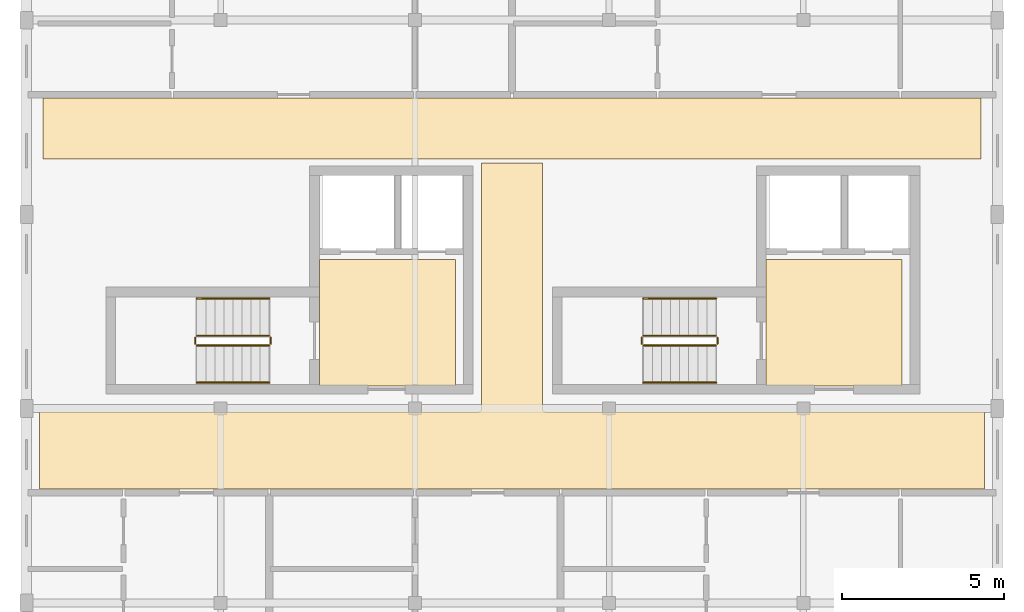
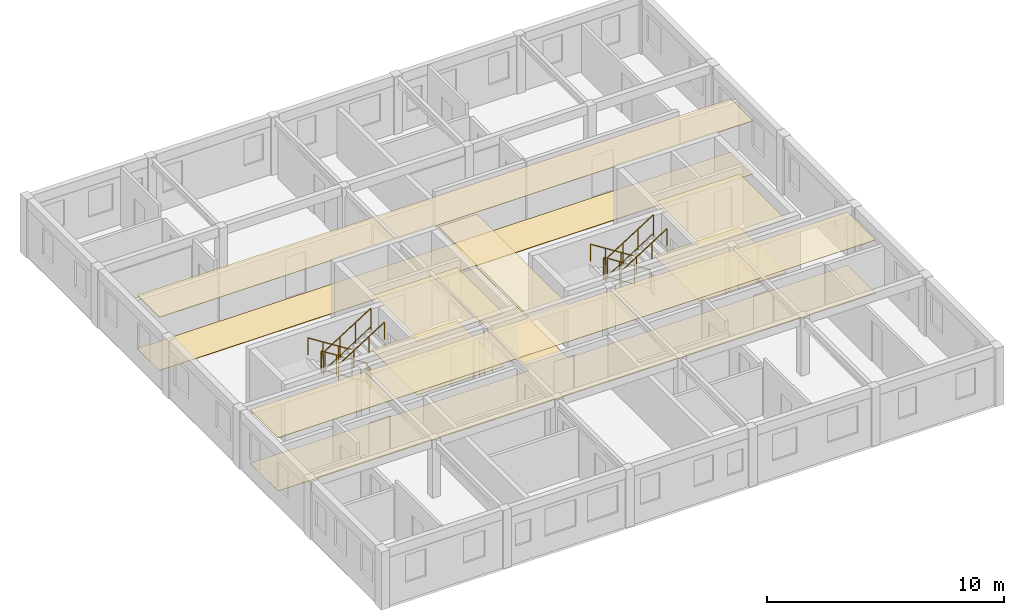
# One storey, part 7 of 7: 12 railings, 8 coverings.
"""IFC4 building model written with IfcOpenShell, lengths in metres."""

from ifc_helpers import new_model, si_unit, direction, frame, origin, origin_2d, place, context, subcontext, project, spatial, polyline, circle, outline, extrude, material, layer, layer_set, type_object, element, save


model = new_model("IFC4")

# Units and contexts
model_context = context("Model", 3, precision=1e-05, world=origin(), true_north=direction((0.0, 1.0)))
body_context = subcontext(model_context, "Body", "Model", "MODEL_VIEW")
ifc_project = project(units=[si_unit("LENGTHUNIT", "METRE"), si_unit("AREAUNIT", "SQUARE_METRE"), si_unit("VOLUMEUNIT", "CUBIC_METRE"), si_unit("PLANEANGLEUNIT", "RADIAN"), si_unit("MASSUNIT", "GRAM", prefix="KILO"), si_unit("POWERUNIT", "WATT"), si_unit("THERMODYNAMICTEMPERATUREUNIT", "KELVIN")], contexts=[model_context])

# Site, building, storey
site_placement = place(None, origin())
site = spatial("IfcSite", under=ifc_project, at=site_placement, CompositionType="ELEMENT")
building_placement = place(site_placement, origin())
building = spatial("IfcBuilding", under=site, at=building_placement, Name="Ruvembo Vaulted Housing Court", CompositionType="ELEMENT")
storey_placement = place(building_placement, frame((0.0, 0.0, 39.699951171875)))
storey = spatial("IfcBuildingStorey", under=building, at=storey_placement, Name="L12", CompositionType="ELEMENT", Elevation=39.699951171875)

# Coverings
ifc_material_1 = material(Name="Perforated Mineral-Fibre Acoustic Tile", Category="gypsum")
ifc_layer_1 = layer(ifc_material_1, 0.02001953125, Name="Perforated Mineral-Fibre Acoustic Tile")
ifc_layer_set_1 = layer_set([ifc_layer_1], Name="Perforated Mineral-Fibre Acoustic Tile")
covering_type_1 = type_object("IfcCoveringType", Name="COV-CEIL-ACOUST", PredefinedType="CEILING", material=ifc_layer_set_1)
covering_1_placement = place(storey_placement, frame((0.0, 0.0, 2.75)))
element("IfcCovering", 1, at=covering_1_placement, inside=storey, type_object=covering_type_1, Name="Firefighting Lift Lobby A1 Ceiling", PredefinedType="CEILING", context=body_context, shape_type="SweptSolid", body=[
    extrude(outline(polyline([(13.25, 22.60009765625), (9.050048828125, 22.60009765625), (9.050048828125, 18.699951171875), (13.25, 18.699951171875), (13.25, 22.60009765625)])), origin(), (0.0, 0.0, 1.0), 0.02001953125),
])
covering_2_placement = place(storey_placement, frame((0.0, 0.0, 2.75)))
element("IfcCovering", 2, at=covering_2_placement, inside=storey, type_object=covering_type_1, Name="Firefighting Lift Lobby A2 Ceiling", PredefinedType="CEILING", context=body_context, shape_type="SweptSolid", body=[
    extrude(outline(polyline([(27.050048828125, 22.60009765625), (22.85009765625, 22.60009765625), (22.85009765625, 18.699951171875), (27.050048828125, 18.699951171875), (27.050048828125, 22.60009765625)])), origin(), (0.0, 0.0, 1.0), 0.02001953125),
])
covering_3_placement = place(storey_placement, frame((0.0, 0.0, 2.75)))
element("IfcCovering", 3, at=covering_3_placement, inside=storey, type_object=covering_type_1, Name="Block A L12 Corridor Ceiling", PredefinedType="CEILING", context=body_context, shape_type="SweptSolid", body=[
    extrude(outline(polyline([(29.590087890625, 15.510009765625), (29.590087890625, 17.889892578125), (16.050048828125, 17.889892578125), (16.039306640625, 17.890380859375), (16.028564453125, 17.89208984375), (16.01806640625, 17.894775390625), (16.0078125, 17.8984375), (15.998046875, 17.903076171875), (15.989013671875, 17.908447265625), (15.980224609375, 17.9150390625), (15.97216796875, 17.922119140625), (15.965087890625, 17.93017578125), (15.95849609375, 17.93896484375), (15.952880859375, 17.947998046875), (15.948486328125, 17.9580078125), (15.944580078125, 17.968017578125), (15.942138671875, 17.978515625), (15.9404296875, 17.9892578125), (15.93994140625, 18.0), (15.93994140625, 25.590087890625), (14.06005859375, 25.590087890625), (14.06005859375, 18.0), (14.0595703125, 17.9892578125), (14.057861328125, 17.978515625), (14.055419921875, 17.968017578125), (14.051513671875, 17.9580078125), (14.047119140625, 17.947998046875), (14.04150390625, 17.93896484375), (14.034912109375, 17.93017578125), (14.02783203125, 17.922119140625), (14.019775390625, 17.9150390625), (14.010986328125, 17.908447265625), (14.001953125, 17.903076171875), (13.9921875, 17.8984375), (13.98193359375, 17.894775390625), (13.971435546875, 17.89208984375), (13.960693359375, 17.890380859375), (13.949951171875, 17.889892578125), (0.409912109375, 17.889892578125), (0.409912109375, 15.510009765625), (29.590087890625, 15.510009765625)])), origin(), (0.0, 0.0, 1.0), 0.02001953125),
])
covering_4_placement = place(storey_placement, frame((0.0, 0.0, 2.75)))
element("IfcCovering", 4, at=covering_4_placement, inside=storey, type_object=covering_type_1, Name="Block A L12 North Sub-Corridor Ceiling", PredefinedType="CEILING", context=body_context, shape_type="SweptSolid", body=[
    extrude(outline(polyline([(0.510009765625, 25.7099609375), (29.489990234375, 25.7099609375), (29.489990234375, 27.590087890625), (0.510009765625, 27.590087890625), (0.510009765625, 25.7099609375)])), origin(), (0.0, 0.0, 1.0), 0.02001953125),
])
ifc_material_2 = material(Name="Polished Cement-Aggregate Terrazzo", Category="stone")
ifc_layer_2 = layer(ifc_material_2, 0.02197265625, Name="Polished Cement-Aggregate Terrazzo")
ifc_layer_set_2 = layer_set([ifc_layer_2], Name="Polished Cement-Aggregate Terrazzo")
covering_type_2 = type_object("IfcCoveringType", Name="COV-FLR-CERAMIC", PredefinedType="FLOORING", material=ifc_layer_set_2)
covering_5_placement = place(storey_placement, origin())
element("IfcCovering", 5, at=covering_5_placement, inside=storey, type_object=covering_type_2, Name="Firefighting Lift Lobby A1 Flooring", PredefinedType="FLOORING", context=body_context, shape_type="SweptSolid", body=[
    extrude(outline(polyline([(13.25, 22.60009765625), (9.050048828125, 22.60009765625), (9.050048828125, 18.699951171875), (13.25, 18.699951171875), (13.25, 22.60009765625)])), origin(), (0.0, 0.0, 1.0), 0.02197265625),
])
covering_6_placement = place(storey_placement, origin())
element("IfcCovering", 6, at=covering_6_placement, inside=storey, type_object=covering_type_2, Name="Firefighting Lift Lobby A2 Flooring", PredefinedType="FLOORING", context=body_context, shape_type="SweptSolid", body=[
    extrude(outline(polyline([(27.050048828125, 22.60009765625), (22.85009765625, 22.60009765625), (22.85009765625, 18.699951171875), (27.050048828125, 18.699951171875), (27.050048828125, 22.60009765625)])), origin(), (0.0, 0.0, 1.0), 0.02197265625),
])
covering_7_placement = place(storey_placement, origin())
element("IfcCovering", 7, at=covering_7_placement, inside=storey, type_object=covering_type_2, Name="Block A L12 Corridor Flooring", PredefinedType="FLOORING", context=body_context, shape_type="SweptSolid", body=[
    extrude(outline(polyline([(29.590087890625, 15.510009765625), (29.590087890625, 17.889892578125), (16.050048828125, 17.889892578125), (16.039306640625, 17.890380859375), (16.028564453125, 17.89208984375), (16.01806640625, 17.894775390625), (16.0078125, 17.8984375), (15.998046875, 17.903076171875), (15.989013671875, 17.908447265625), (15.980224609375, 17.9150390625), (15.97216796875, 17.922119140625), (15.965087890625, 17.93017578125), (15.95849609375, 17.93896484375), (15.952880859375, 17.947998046875), (15.948486328125, 17.9580078125), (15.944580078125, 17.968017578125), (15.942138671875, 17.978515625), (15.9404296875, 17.9892578125), (15.93994140625, 18.0), (15.93994140625, 25.590087890625), (14.06005859375, 25.590087890625), (14.06005859375, 18.0), (14.0595703125, 17.9892578125), (14.057861328125, 17.978515625), (14.055419921875, 17.968017578125), (14.051513671875, 17.9580078125), (14.047119140625, 17.947998046875), (14.04150390625, 17.93896484375), (14.034912109375, 17.93017578125), (14.02783203125, 17.922119140625), (14.019775390625, 17.9150390625), (14.010986328125, 17.908447265625), (14.001953125, 17.903076171875), (13.9921875, 17.8984375), (13.98193359375, 17.894775390625), (13.971435546875, 17.89208984375), (13.960693359375, 17.890380859375), (13.949951171875, 17.889892578125), (0.409912109375, 17.889892578125), (0.409912109375, 15.510009765625), (29.590087890625, 15.510009765625)])), origin(), (0.0, 0.0, 1.0), 0.02197265625),
])
covering_8_placement = place(storey_placement, origin())
element("IfcCovering", 8, at=covering_8_placement, inside=storey, type_object=covering_type_2, Name="Block A L12 North Sub-Corridor Flooring", PredefinedType="FLOORING", context=body_context, shape_type="SweptSolid", body=[
    extrude(outline(polyline([(0.510009765625, 25.7099609375), (29.489990234375, 25.7099609375), (29.489990234375, 27.590087890625), (0.510009765625, 27.590087890625), (0.510009765625, 25.7099609375)])), origin(), (0.0, 0.0, 1.0), 0.02197265625),
])

# Railings
ifc_material_3 = material(Name="Painted Galvanised Steel S275", Category="steel")
ifc_layer_3 = layer(ifc_material_3, 0.06005859375, Name="Painted Galvanised Steel S275")
ifc_layer_set_3 = layer_set([ifc_layer_3], Name="Painted Galvanised Steel S275")
railing_type_1 = type_object("IfcRailingType", Name="RL-STAIR-GR1100", PredefinedType="GUARDRAIL", material=ifc_layer_set_3)
railing_1_placement = place(storey_placement, frame((7.5, 20.25, 0.177734375)))
element("IfcRailing", 9, at=railing_1_placement, inside=storey, type_object=railing_type_1, Name="L12 ST-A1 stair guard 1", PredefinedType="GUARDRAIL", context=body_context, shape_type="SweptSolid", body=[
    extrude(circle(Radius=0.02392578125, at=origin_2d()), frame((0.0, 0.0, 1.076171875), z_axis=(-0.84418770128, 0.0, 0.536047689118), x_axis=(0.0, -1.0, 0.0)), (0.0, 0.0, 1.0), 2.6533203125),
    extrude(circle(Radius=0.01806640625, at=origin_2d()), frame((0.0, 0.0, 0.1201171875), z_axis=(-0.84418770128, 0.0, 0.536047689118), x_axis=(0.0, -1.0, 0.0)), (0.0, 0.0, 1.0), 2.6533203125),
    extrude(circle(Radius=0.02099609375, at=origin_2d()), origin(), (0.0, 0.0, 1.0), 1.052001953125),
    extrude(circle(Radius=0.02099609375, at=origin_2d()), frame((-0.74658203125, 0.0, 0.47412109375)), (0.0, 0.0, 1.0), 1.052001953125),
    extrude(circle(Radius=0.02099609375, at=origin_2d()), frame((-1.493408203125, 0.0, 0.9482421875)), (0.0, 0.0, 1.0), 1.052001953125),
    extrude(circle(Radius=0.02099609375, at=origin_2d()), frame((-2.239990234375, 0.0, 1.42236328125)), (0.0, 0.0, 1.0), 1.052001953125),
])
railing_2_placement = place(storey_placement, frame((5.2099609375, 20.199951171875, 1.60009765625)))
element("IfcRailing", 10, at=railing_2_placement, inside=storey, type_object=railing_type_1, Name="L12 ST-A1 stair guard 2", PredefinedType="GUARDRAIL", context=body_context, shape_type="SweptSolid", body=[
    extrude(circle(Radius=0.02392578125, at=origin_2d()), frame((0.0, 0.0, 1.076171875), z_axis=(0.0, -1.0, 0.0), x_axis=(1.0, 0.0, 0.0)), (0.0, 0.0, 1.0), 0.199951171875),
    extrude(circle(Radius=0.01806640625, at=origin_2d()), frame((0.0, 0.0, 0.1201171875), z_axis=(0.0, -1.0, 0.0), x_axis=(1.0, 0.0, 0.0)), (0.0, 0.0, 1.0), 0.199951171875),
    extrude(circle(Radius=0.02099609375, at=origin_2d()), origin(), (0.0, 0.0, 1.0), 1.052001953125),
    extrude(circle(Radius=0.02099609375, at=origin_2d()), frame((0.0, -0.199951171875, 0.0)), (0.0, 0.0, 1.0), 1.052001953125),
])
railing_3_placement = place(storey_placement, frame((5.260009765625, 19.949951171875, 1.77783203125)))
element("IfcRailing", 11, at=railing_3_placement, inside=storey, type_object=railing_type_1, Name="L12 ST-A1 stair guard 3", PredefinedType="GUARDRAIL", context=body_context, shape_type="SweptSolid", body=[
    extrude(circle(Radius=0.02392578125, at=origin_2d()), frame((0.0, 0.0, 1.076171875), z_axis=(0.8442293374, 0.0, 0.53598211339), x_axis=(0.0, 1.0, 0.0)), (0.0, 0.0, 1.0), 2.6533203125),
    extrude(circle(Radius=0.01806640625, at=origin_2d()), frame((0.0, 0.0, 0.1201171875), z_axis=(0.8442293374, 0.0, 0.53598211339), x_axis=(0.0, 1.0, 0.0)), (0.0, 0.0, 1.0), 2.6533203125),
    extrude(circle(Radius=0.02099609375, at=origin_2d()), origin(), (0.0, 0.0, 1.0), 1.052001953125),
    extrude(circle(Radius=0.02099609375, at=origin_2d()), frame((0.74658203125, 0.0, 0.47412109375)), (0.0, 0.0, 1.0), 1.052001953125),
    extrude(circle(Radius=0.02099609375, at=origin_2d()), frame((1.493408203125, 0.0, 0.947998046875)), (0.0, 0.0, 1.0), 1.052001953125),
    extrude(circle(Radius=0.02099609375, at=origin_2d()), frame((2.239990234375, 0.0, 1.422119140625)), (0.0, 0.0, 1.0), 1.052001953125),
])
railing_4_placement = place(storey_placement, frame((7.550048828125, 20.199951171875, 0.0)))
element("IfcRailing", 12, at=railing_4_placement, inside=storey, type_object=railing_type_1, Name="L12 ST-A1 stair guard 4", PredefinedType="GUARDRAIL", context=body_context, shape_type="SweptSolid", body=[
    extrude(circle(Radius=0.02392578125, at=origin_2d()), frame((0.0, 0.0, 1.076171875), z_axis=(0.0, -1.0, 0.0), x_axis=(1.0, 0.0, 0.0)), (0.0, 0.0, 1.0), 0.199951171875),
    extrude(circle(Radius=0.01806640625, at=origin_2d()), frame((0.0, 0.0, 0.1201171875), z_axis=(0.0, -1.0, 0.0), x_axis=(1.0, 0.0, 0.0)), (0.0, 0.0, 1.0), 0.199951171875),
    extrude(circle(Radius=0.02099609375, at=origin_2d()), origin(), (0.0, 0.0, 1.0), 1.052001953125),
    extrude(circle(Radius=0.02099609375, at=origin_2d()), frame((0.0, -0.199951171875, 0.0)), (0.0, 0.0, 1.0), 1.052001953125),
])
railing_5_placement = place(storey_placement, frame((21.300048828125, 20.25, 0.177734375)))
element("IfcRailing", 13, at=railing_5_placement, inside=storey, type_object=railing_type_1, Name="L12 ST-A2 stair guard 1", PredefinedType="GUARDRAIL", context=body_context, shape_type="SweptSolid", body=[
    extrude(circle(Radius=0.02392578125, at=origin_2d()), frame((0.0, 0.0, 1.076171875), z_axis=(-0.84418770128, 0.0, 0.536047689118), x_axis=(0.0, -1.0, 0.0)), (0.0, 0.0, 1.0), 2.6533203125),
    extrude(circle(Radius=0.01806640625, at=origin_2d()), frame((0.0, 0.0, 0.1201171875), z_axis=(-0.84418770128, 0.0, 0.536047689118), x_axis=(0.0, -1.0, 0.0)), (0.0, 0.0, 1.0), 2.6533203125),
    extrude(circle(Radius=0.02099609375, at=origin_2d()), origin(), (0.0, 0.0, 1.0), 1.052001953125),
    extrude(circle(Radius=0.02099609375, at=origin_2d()), frame((-0.74658203125, 0.0, 0.47412109375)), (0.0, 0.0, 1.0), 1.052001953125),
    extrude(circle(Radius=0.02099609375, at=origin_2d()), frame((-1.493408203125, 0.0, 0.9482421875)), (0.0, 0.0, 1.0), 1.052001953125),
    extrude(circle(Radius=0.02099609375, at=origin_2d()), frame((-2.239990234375, 0.0, 1.42236328125)), (0.0, 0.0, 1.0), 1.052001953125),
])
railing_6_placement = place(storey_placement, frame((19.010009765625, 20.199951171875, 1.60009765625)))
element("IfcRailing", 14, at=railing_6_placement, inside=storey, type_object=railing_type_1, Name="L12 ST-A2 stair guard 2", PredefinedType="GUARDRAIL", context=body_context, shape_type="SweptSolid", body=[
    extrude(circle(Radius=0.02392578125, at=origin_2d()), frame((0.0, 0.0, 1.076171875), z_axis=(0.0, -1.0, 0.0), x_axis=(1.0, 0.0, 0.0)), (0.0, 0.0, 1.0), 0.199951171875),
    extrude(circle(Radius=0.01806640625, at=origin_2d()), frame((0.0, 0.0, 0.1201171875), z_axis=(0.0, -1.0, 0.0), x_axis=(1.0, 0.0, 0.0)), (0.0, 0.0, 1.0), 0.199951171875),
    extrude(circle(Radius=0.02099609375, at=origin_2d()), origin(), (0.0, 0.0, 1.0), 1.052001953125),
    extrude(circle(Radius=0.02099609375, at=origin_2d()), frame((0.0, -0.199951171875, 0.0)), (0.0, 0.0, 1.0), 1.052001953125),
])
railing_7_placement = place(storey_placement, frame((19.06005859375, 19.949951171875, 1.77783203125)))
element("IfcRailing", 15, at=railing_7_placement, inside=storey, type_object=railing_type_1, Name="L12 ST-A2 stair guard 3", PredefinedType="GUARDRAIL", context=body_context, shape_type="SweptSolid", body=[
    extrude(circle(Radius=0.02392578125, at=origin_2d()), frame((0.0, 0.0, 1.076171875), z_axis=(0.8442293374, 0.0, 0.53598211339), x_axis=(0.0, 1.0, 0.0)), (0.0, 0.0, 1.0), 2.6533203125),
    extrude(circle(Radius=0.01806640625, at=origin_2d()), frame((0.0, 0.0, 0.1201171875), z_axis=(0.8442293374, 0.0, 0.53598211339), x_axis=(0.0, 1.0, 0.0)), (0.0, 0.0, 1.0), 2.6533203125),
    extrude(circle(Radius=0.02099609375, at=origin_2d()), origin(), (0.0, 0.0, 1.0), 1.052001953125),
    extrude(circle(Radius=0.02099609375, at=origin_2d()), frame((0.74658203125, 0.0, 0.47412109375)), (0.0, 0.0, 1.0), 1.052001953125),
    extrude(circle(Radius=0.02099609375, at=origin_2d()), frame((1.493408203125, 0.0, 0.947998046875)), (0.0, 0.0, 1.0), 1.052001953125),
    extrude(circle(Radius=0.02099609375, at=origin_2d()), frame((2.239990234375, 0.0, 1.422119140625)), (0.0, 0.0, 1.0), 1.052001953125),
])
railing_8_placement = place(storey_placement, frame((21.35009765625, 20.199951171875, 0.0)))
element("IfcRailing", 16, at=railing_8_placement, inside=storey, type_object=railing_type_1, Name="L12 ST-A2 stair guard 4", PredefinedType="GUARDRAIL", context=body_context, shape_type="SweptSolid", body=[
    extrude(circle(Radius=0.02392578125, at=origin_2d()), frame((0.0, 0.0, 1.076171875), z_axis=(0.0, -1.0, 0.0), x_axis=(1.0, 0.0, 0.0)), (0.0, 0.0, 1.0), 0.199951171875),
    extrude(circle(Radius=0.01806640625, at=origin_2d()), frame((0.0, 0.0, 0.1201171875), z_axis=(0.0, -1.0, 0.0), x_axis=(1.0, 0.0, 0.0)), (0.0, 0.0, 1.0), 0.199951171875),
    extrude(circle(Radius=0.02099609375, at=origin_2d()), origin(), (0.0, 0.0, 1.0), 1.052001953125),
    extrude(circle(Radius=0.02099609375, at=origin_2d()), frame((0.0, -0.199951171875, 0.0)), (0.0, 0.0, 1.0), 1.052001953125),
])
ifc_material_4 = material(Name="Brushed Stainless Steel 304", Category="steel")
ifc_layer_4 = layer(ifc_material_4, 0.050048828125, Name="Brushed Stainless Steel 304")
ifc_layer_set_4 = layer_set([ifc_layer_4], Name="Brushed Stainless Steel 304")
railing_type_2 = type_object("IfcRailingType", Name="RL-STAIR-HR920", PredefinedType="HANDRAIL", material=ifc_layer_set_4)
railing_9_placement = place(storey_placement, frame((7.5, 21.39990234375, 0.359375)))
element("IfcRailing", 17, at=railing_9_placement, inside=storey, type_object=railing_type_2, Name="L12 ST-A1 stair handrail 1", PredefinedType="HANDRAIL", context=body_context, shape_type="SweptSolid", body=[
    extrude(circle(Radius=0.02392578125, at=origin_2d()), frame((0.0, 0.0, 0.8759765625), z_axis=(-0.8442293374, 0.0, 0.53598211339), x_axis=(0.0, -1.0, 0.0)), (0.0, 0.0, 1.0), 2.6533203125),
    extrude(circle(Radius=0.02099609375, at=origin_2d()), origin(), (0.0, 0.0, 1.0), 0.851806640625),
    extrude(circle(Radius=0.02099609375, at=origin_2d()), frame((-0.74658203125, 0.0, 0.47412109375)), (0.0, 0.0, 1.0), 0.851806640625),
    extrude(circle(Radius=0.02099609375, at=origin_2d()), frame((-1.493408203125, 0.0, 0.947998046875)), (0.0, 0.0, 1.0), 0.851806640625),
    extrude(circle(Radius=0.02099609375, at=origin_2d()), frame((-2.239990234375, 0.0, 1.422119140625)), (0.0, 0.0, 1.0), 0.851806640625),
])
railing_10_placement = place(storey_placement, frame((5.260009765625, 18.800048828125, 1.959228515625)))
element("IfcRailing", 18, at=railing_10_placement, inside=storey, type_object=railing_type_2, Name="L12 ST-A1 stair handrail 2", PredefinedType="HANDRAIL", context=body_context, shape_type="SweptSolid", body=[
    extrude(circle(Radius=0.02392578125, at=origin_2d()), frame((0.0, 0.0, 0.8759765625), z_axis=(0.84418770128, 0.0, 0.536047689118), x_axis=(0.0, 1.0, 0.0)), (0.0, 0.0, 1.0), 2.6533203125),
    extrude(circle(Radius=0.02099609375, at=origin_2d()), origin(), (0.0, 0.0, 1.0), 0.851806640625),
    extrude(circle(Radius=0.02099609375, at=origin_2d()), frame((0.74658203125, 0.0, 0.47412109375)), (0.0, 0.0, 1.0), 0.851806640625),
    extrude(circle(Radius=0.02099609375, at=origin_2d()), frame((1.493408203125, 0.0, 0.9482421875)), (0.0, 0.0, 1.0), 0.851806640625),
    extrude(circle(Radius=0.02099609375, at=origin_2d()), frame((2.239990234375, 0.0, 1.42236328125)), (0.0, 0.0, 1.0), 0.851806640625),
])
railing_11_placement = place(storey_placement, frame((21.300048828125, 21.39990234375, 0.359375)))
element("IfcRailing", 19, at=railing_11_placement, inside=storey, type_object=railing_type_2, Name="L12 ST-A2 stair handrail 1", PredefinedType="HANDRAIL", context=body_context, shape_type="SweptSolid", body=[
    extrude(circle(Radius=0.02392578125, at=origin_2d()), frame((0.0, 0.0, 0.8759765625), z_axis=(-0.8442293374, 0.0, 0.53598211339), x_axis=(0.0, -1.0, 0.0)), (0.0, 0.0, 1.0), 2.6533203125),
    extrude(circle(Radius=0.02099609375, at=origin_2d()), origin(), (0.0, 0.0, 1.0), 0.851806640625),
    extrude(circle(Radius=0.02099609375, at=origin_2d()), frame((-0.74658203125, 0.0, 0.47412109375)), (0.0, 0.0, 1.0), 0.851806640625),
    extrude(circle(Radius=0.02099609375, at=origin_2d()), frame((-1.493408203125, 0.0, 0.947998046875)), (0.0, 0.0, 1.0), 0.851806640625),
    extrude(circle(Radius=0.02099609375, at=origin_2d()), frame((-2.239990234375, 0.0, 1.422119140625)), (0.0, 0.0, 1.0), 0.851806640625),
])
railing_12_placement = place(storey_placement, frame((19.06005859375, 18.800048828125, 1.959228515625)))
element("IfcRailing", 20, at=railing_12_placement, inside=storey, type_object=railing_type_2, Name="L12 ST-A2 stair handrail 2", PredefinedType="HANDRAIL", context=body_context, shape_type="SweptSolid", body=[
    extrude(circle(Radius=0.02392578125, at=origin_2d()), frame((0.0, 0.0, 0.8759765625), z_axis=(0.84418770128, 0.0, 0.536047689118), x_axis=(0.0, 1.0, 0.0)), (0.0, 0.0, 1.0), 2.6533203125),
    extrude(circle(Radius=0.02099609375, at=origin_2d()), origin(), (0.0, 0.0, 1.0), 0.851806640625),
    extrude(circle(Radius=0.02099609375, at=origin_2d()), frame((0.74658203125, 0.0, 0.47412109375)), (0.0, 0.0, 1.0), 0.851806640625),
    extrude(circle(Radius=0.02099609375, at=origin_2d()), frame((1.493408203125, 0.0, 0.9482421875)), (0.0, 0.0, 1.0), 0.851806640625),
    extrude(circle(Radius=0.02099609375, at=origin_2d()), frame((2.239990234375, 0.0, 1.42236328125)), (0.0, 0.0, 1.0), 0.851806640625),
])

save(model, "model.ifc")
